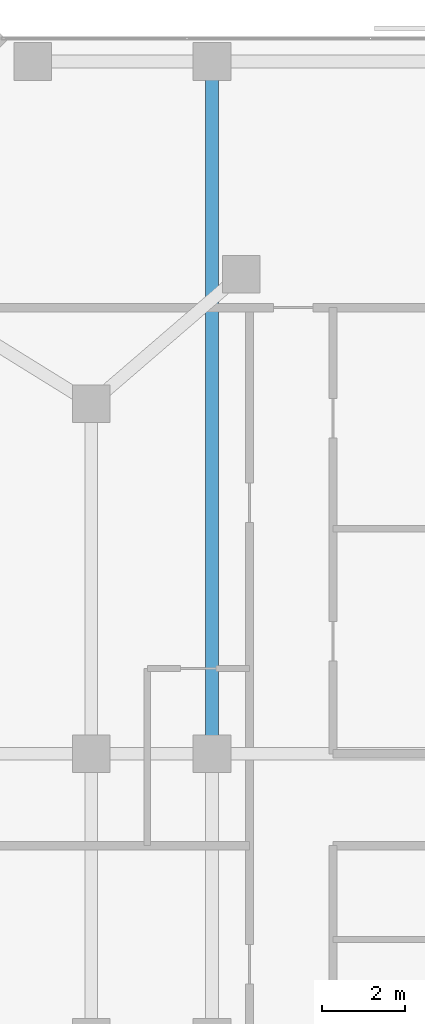
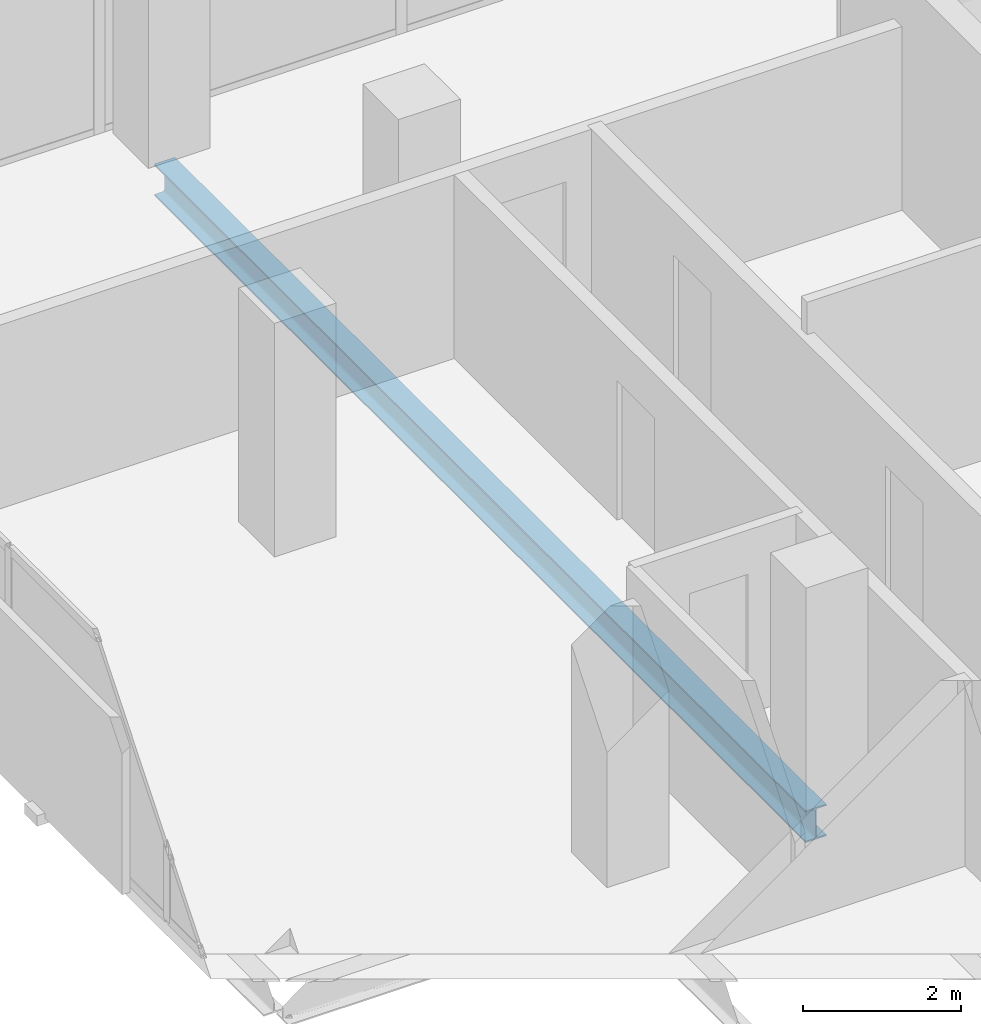
# One storey, part 18 of 34: 1 beam.
"""IFC4 building model written with IfcOpenShell, lengths in metres."""

from ifc_helpers import new_model, si_unit, direction, frame, origin, origin_2d, place, context, subcontext, project, spatial, i_section, extrude, material, material_profile, profile_set, type_object, element, save


model = new_model("IFC4")

# Units and contexts
model_context = context("Model", 3, precision=1e-05, world=origin(), true_north=direction((0.0, 1.0)))
body_context = subcontext(model_context, "Body", "Model", "MODEL_VIEW")
ifc_project = project(units=[si_unit("LENGTHUNIT", "METRE"), si_unit("AREAUNIT", "SQUARE_METRE"), si_unit("VOLUMEUNIT", "CUBIC_METRE"), si_unit("PLANEANGLEUNIT", "RADIAN"), si_unit("MASSUNIT", "GRAM", prefix="KILO")], contexts=[model_context])

# Site, building, storey
site_placement = place(None, origin())
site = spatial("IfcSite", under=ifc_project, at=site_placement, CompositionType="ELEMENT")
building_placement = place(site_placement, origin())
building = spatial("IfcBuilding", under=site, at=building_placement, Name="Catumbela Crestline Tower", CompositionType="ELEMENT")
storey_placement = place(building_placement, frame((0.0, 0.0, 93.6)))
storey = spatial("IfcBuildingStorey", under=building, at=storey_placement, Name="L23", CompositionType="ELEMENT", Elevation=93.6)

# Beam
ifc_material = material(Name="Structural steel S355J2", Category="steel")
ifc_material_profile = material_profile(ifc_material, i_section(OverallWidth=0.3, OverallDepth=0.49, WebThickness=0.012, FlangeThickness=0.023, FilletRadius=0.027, at=origin_2d()), Name="HEA 500")
ifc_profile_set = profile_set([ifc_material_profile], Name="Structural steel S355J2")
beam_type = type_object("IfcBeamType", Name="BG-HEA500", PredefinedType="BEAM", material=ifc_profile_set)
beam_placement = place(storey_placement, frame((8.5, 30.88, -0.505), z_axis=(0.0, 1.0, 0.0), x_axis=(-1.0, 0.0, 0.0)))
element("IfcBeam", 1, at=beam_placement, inside=storey, type_object=beam_type, Name="L23 Beam BM-L23-SN27", PredefinedType="BEAM", context=body_context, shape_type="SweptSolid", body=[
    extrude(i_section(OverallWidth=0.3, OverallDepth=0.49, WebThickness=0.012, FlangeThickness=0.023, FilletRadius=0.027, at=origin_2d()), origin(), (0.0, 0.0, 1.0), 16.44),
])

save(model, "model.ifc")
